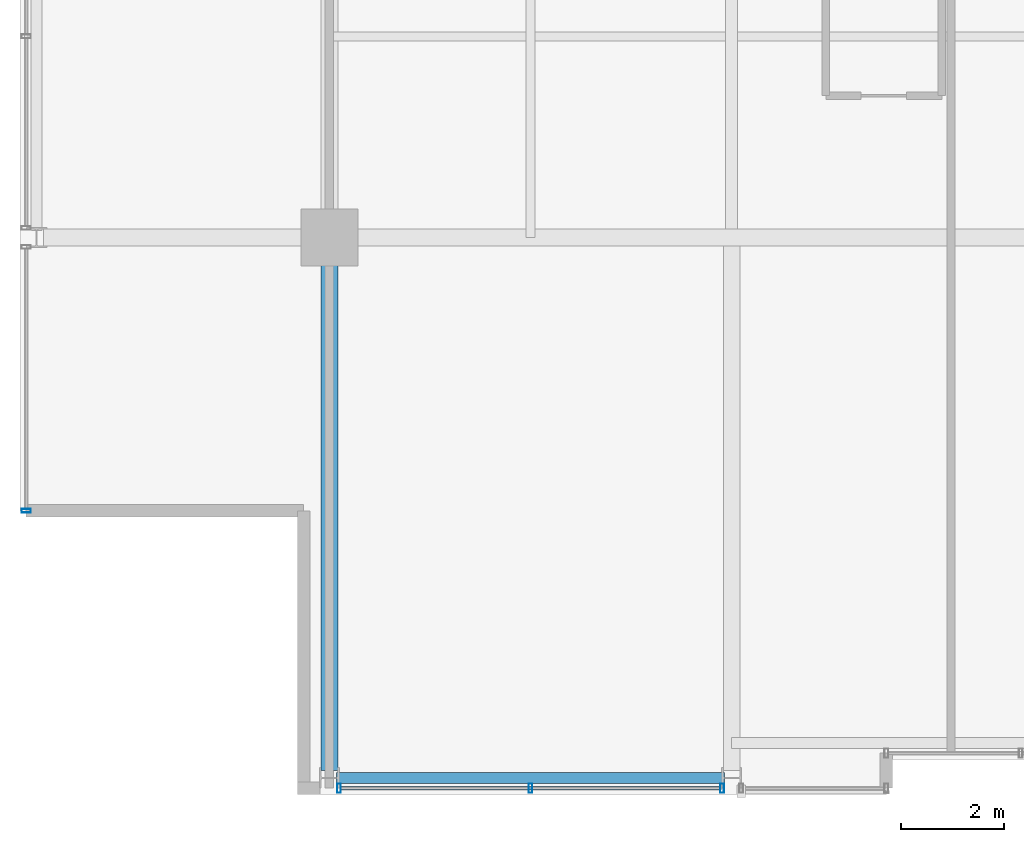
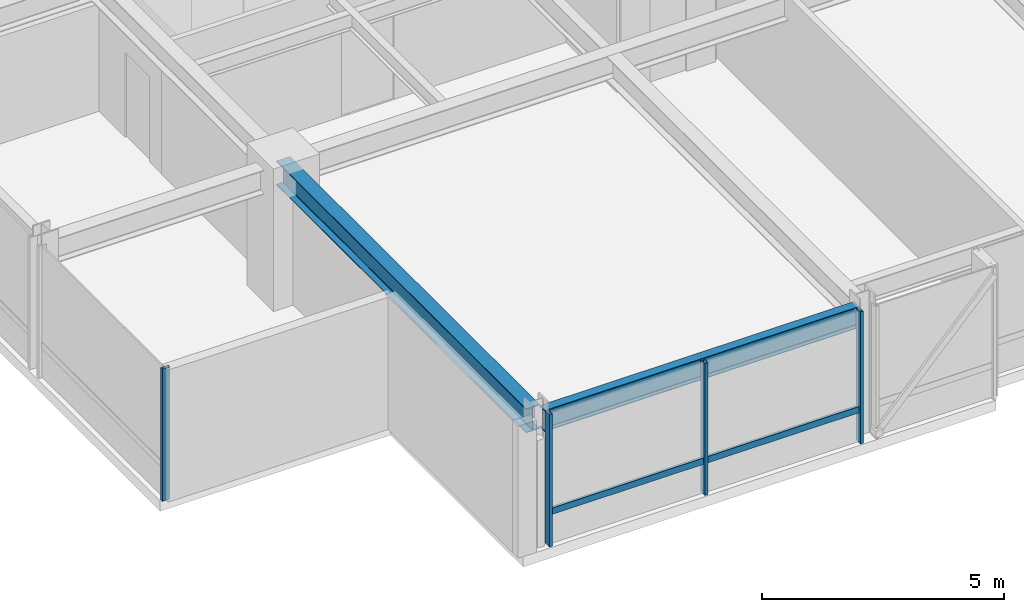
# One storey, part 2 of 32: 5 members, 2 beams, 2 elements without a shape of their own.
"""IFC4 building model written with IfcOpenShell, lengths in metres."""

from ifc_helpers import new_model, si_unit, direction, frame, origin, origin_2d, place, context, subcontext, project, spatial, hollow_rectangle, i_section, extrude, material, layer, layer_set, material_profile, profile_set, type_object, element, aggregate, save


model = new_model("IFC4")

# Units and contexts
model_context = context("Model", 3, precision=1e-05, world=origin(), true_north=direction((0.0, 1.0)))
body_context = subcontext(model_context, "Body", "Model", "MODEL_VIEW")
ifc_project = project(units=[si_unit("LENGTHUNIT", "METRE"), si_unit("AREAUNIT", "SQUARE_METRE"), si_unit("VOLUMEUNIT", "CUBIC_METRE"), si_unit("PLANEANGLEUNIT", "RADIAN"), si_unit("MASSUNIT", "GRAM", prefix="KILO")], contexts=[model_context])

# Site, building, storey
site_placement = place(None, origin())
site = spatial("IfcSite", under=ifc_project, at=site_placement, CompositionType="ELEMENT")
building_placement = place(site_placement, origin())
building = spatial("IfcBuilding", under=site, at=building_placement, Name="Drelvath Grand Hotel", CompositionType="ELEMENT")
storey_placement = place(building_placement, frame((0.0, 0.0, 223.10009765625)))
storey = spatial("IfcBuildingStorey", under=building, at=storey_placement, Name="L58", CompositionType="ELEMENT", Elevation=223.10009765625)

# Curtain wall, member
ifc_material_1 = material(Name="Platinum-Mist Anodised Aluminium Frame", Category="aluminium")
ifc_layer = layer(ifc_material_1, 0.199951171875)
ifc_layer_set = layer_set([ifc_layer], Name="Platinum-Mist Anodised Aluminium Frame")
curtain_wall_type = type_object("IfcCurtainWallType", Name="Stick Curtain Wall CW-05 Platinum Mist High-Rise", PredefinedType="NOTDEFINED", material=ifc_layer_set)
curtain_wall_1_placement = place(storey_placement, origin())
curtain_wall_1 = element("IfcCurtainWall", 1, at=curtain_wall_1_placement, inside=storey, type_object=curtain_wall_type, Name="L58 CW-05 Curtain Wall CW05-L58-SW2", PredefinedType="NOTDEFINED")
ifc_material_profile_1 = material_profile(ifc_material_1, hollow_rectangle(XDim=0.06494140625, YDim=0.159912109375, WallThickness=0.00390625, at=origin_2d()), Name="HSS160X65X4")
ifc_profile_set_1 = profile_set([ifc_material_profile_1], Name="Platinum-Mist Anodised Aluminium Frame")
member_type_1 = type_object("IfcMemberType", Name="Curtain Wall Horizontal Transom CW-05 HSS160X65X4", PredefinedType="USERDEFINED", material=ifc_profile_set_1)
member_1_placement = place(storey_placement, frame((-8.625244140625, 0.1201171875, 0.8349609375), z_axis=(-1.0, 0.0, 0.0), x_axis=(0.0, -1.0, 0.0)))
member_1 = element("IfcMember", 2, at=member_1_placement, type_object=member_type_1, Name="CW05-L58-SW2 Sill Transom", ObjectType="TRANSOM", PredefinedType="USERDEFINED", context=body_context, shape_type="SweptSolid", body=[
    extrude(hollow_rectangle(XDim=0.06494140625, YDim=0.159912109375, WallThickness=0.00390625, at=origin_2d()), origin(), (0.0, 0.0, 1.0), 7.349365234375),
])

curtain_wall_2_placement = place(storey_placement, origin())
curtain_wall_2 = element("IfcCurtainWall", 3, at=curtain_wall_2_placement, inside=storey, type_object=curtain_wall_type, Name="L58 CW-05 Curtain Wall CW05-L58-WS1", PredefinedType="NOTDEFINED")
ifc_material_profile_2 = material_profile(ifc_material_1, hollow_rectangle(XDim=0.074951171875, YDim=0.179931640625, WallThickness=0.0048828125, at=origin_2d()), Name="HSS180X75X5")
ifc_profile_set_2 = profile_set([ifc_material_profile_2], Name="Platinum-Mist Anodised Aluminium Frame")
member_type_2 = type_object("IfcMemberType", Name="Curtain Wall Vertical Mullion CW-05 HSS180X75X5", PredefinedType="MULLION", material=ifc_profile_set_2)
member_2_placement = place(storey_placement, frame((-22.080078125, 5.5, 0.0), z_axis=(0.0, 0.0, 1.0), x_axis=(0.0, 1.0, 0.0)))
member_2 = element("IfcMember", 4, at=member_2_placement, type_object=member_type_2, Name="CW05-L58-WS1 Mullion 1", PredefinedType="MULLION", context=body_context, shape_type="SweptSolid", body=[
    extrude(hollow_rectangle(XDim=0.074951171875, YDim=0.179931640625, WallThickness=0.0048828125, at=origin_2d()), origin(), (0.0, 0.0, 1.0), 3.33984375),
])
aggregate(curtain_wall_2, [member_2])

# Member
member_3_placement = place(storey_placement, frame((-8.585205078125, 0.1201171875, 0.0), z_axis=(0.0, 0.0, 1.0), x_axis=(1.0, 0.0, 0.0)))
member_3 = element("IfcMember", 5, at=member_3_placement, type_object=member_type_2, Name="CW05-L58-SW2 Mullion 1", PredefinedType="MULLION", context=body_context, shape_type="SweptSolid", body=[
    extrude(hollow_rectangle(XDim=0.074951171875, YDim=0.179931640625, WallThickness=0.0048828125, at=origin_2d()), origin(), (0.0, 0.0, 1.0), 3.33984375),
])

member_4_placement = place(storey_placement, frame((-12.300048828125, 0.1201171875, 0.0), z_axis=(0.0, 0.0, 1.0), x_axis=(1.0, 0.0, 0.0)))
member_4 = element("IfcMember", 6, at=member_4_placement, type_object=member_type_2, Name="CW05-L58-SW2 Mullion 2", PredefinedType="MULLION", context=body_context, shape_type="SweptSolid", body=[
    extrude(hollow_rectangle(XDim=0.074951171875, YDim=0.179931640625, WallThickness=0.0048828125, at=origin_2d()), origin(), (0.0, 0.0, 1.0), 3.33984375),
])

member_5_placement = place(storey_placement, frame((-16.0146484375, 0.1201171875, 0.0), z_axis=(0.0, 0.0, 1.0), x_axis=(1.0, 0.0, 0.0)))
member_5 = element("IfcMember", 7, at=member_5_placement, type_object=member_type_2, Name="CW05-L58-SW2 Mullion 3", PredefinedType="MULLION", context=body_context, shape_type="SweptSolid", body=[
    extrude(hollow_rectangle(XDim=0.074951171875, YDim=0.179931640625, WallThickness=0.0048828125, at=origin_2d()), origin(), (0.0, 0.0, 1.0), 3.33984375),
])

aggregate(curtain_wall_1, [member_3, member_4, member_5, member_1])

# Beams
ifc_material_2 = material(Name="Steel ASTM A992 Gr 50", Category="steel")
ifc_material_profile_3 = material_profile(ifc_material_2, i_section(OverallWidth=0.210205078125, OverallDepth=0.53662109375, WebThickness=0.010986328125, FlangeThickness=0.017333984375, FilletRadius=0.01806640625, at=origin_2d()), Name="W21X68")
ifc_profile_set_3 = profile_set([ifc_material_profile_3], Name="Steel ASTM A992 Gr 50")
beam_type_1 = type_object("IfcBeamType", Name="Perimeter Spandrel Beam W21X68", PredefinedType="SPANDREL", material=ifc_profile_set_3)
beam_1_placement = place(storey_placement, frame((-16.06005859375, 0.320068359375, 3.071533203125), z_axis=(1.0, 0.0, 0.0), x_axis=(0.0, 1.0, 0.0)))
element("IfcBeam", 8, at=beam_1_placement, inside=storey, type_object=beam_type_1, Name="L58 Spandrel South W", PredefinedType="SPANDREL", context=body_context, shape_type="SweptSolid", body=[
    extrude(i_section(OverallWidth=0.210205078125, OverallDepth=0.53662109375, WebThickness=0.010986328125, FlangeThickness=0.017333984375, FilletRadius=0.01806640625, at=origin_2d()), origin(), (0.0, 0.0, 1.0), 7.52001953125),
])
ifc_material_profile_4 = material_profile(ifc_material_2, i_section(OverallWidth=0.323974609375, OverallDepth=0.611083984375, WebThickness=0.0126953125, FlangeThickness=0.01904296875, FilletRadius=0.02197265625, at=origin_2d()), Name="W24X104")
ifc_profile_set_4 = profile_set([ifc_material_profile_4], Name="Steel ASTM A992 Gr 50")
beam_type_2 = type_object("IfcBeamType", Name="Primary Floor Girder W24X104", PredefinedType="BEAM", material=ifc_profile_set_4)
beam_2_placement = place(storey_placement, frame((-16.199951171875, 0.4599609375, 3.034423828125), z_axis=(0.0, 1.0, 0.0), x_axis=(-1.0, 0.0, 0.0)))
element("IfcBeam", 9, at=beam_2_placement, inside=storey, type_object=beam_type_2, Name="L58 South Grid Girder 3", PredefinedType="BEAM", context=body_context, shape_type="SweptSolid", body=[
    extrude(i_section(OverallWidth=0.323974609375, OverallDepth=0.611083984375, WebThickness=0.0126953125, FlangeThickness=0.01904296875, FilletRadius=0.02197265625, at=origin_2d()), origin(), (0.0, 0.0, 1.0), 10.340087890625),
])

save(model, "model.ifc")
